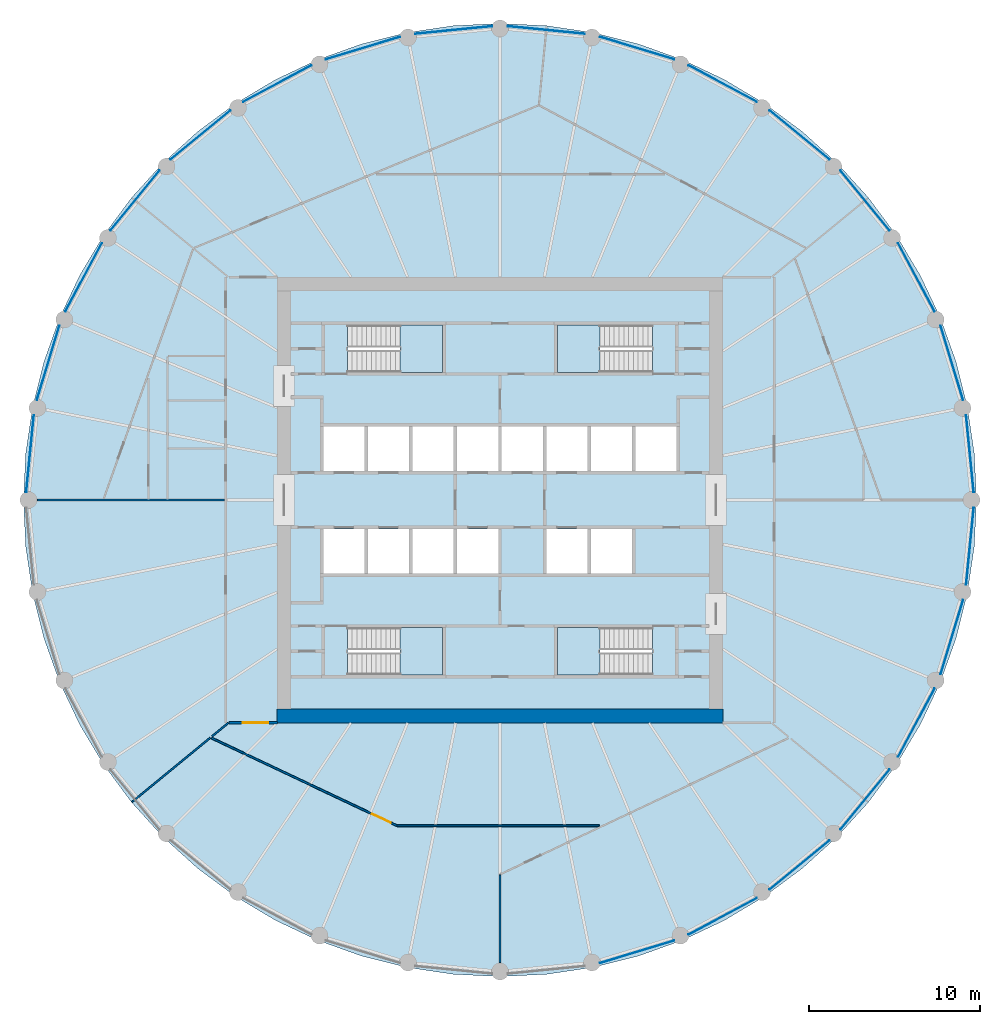
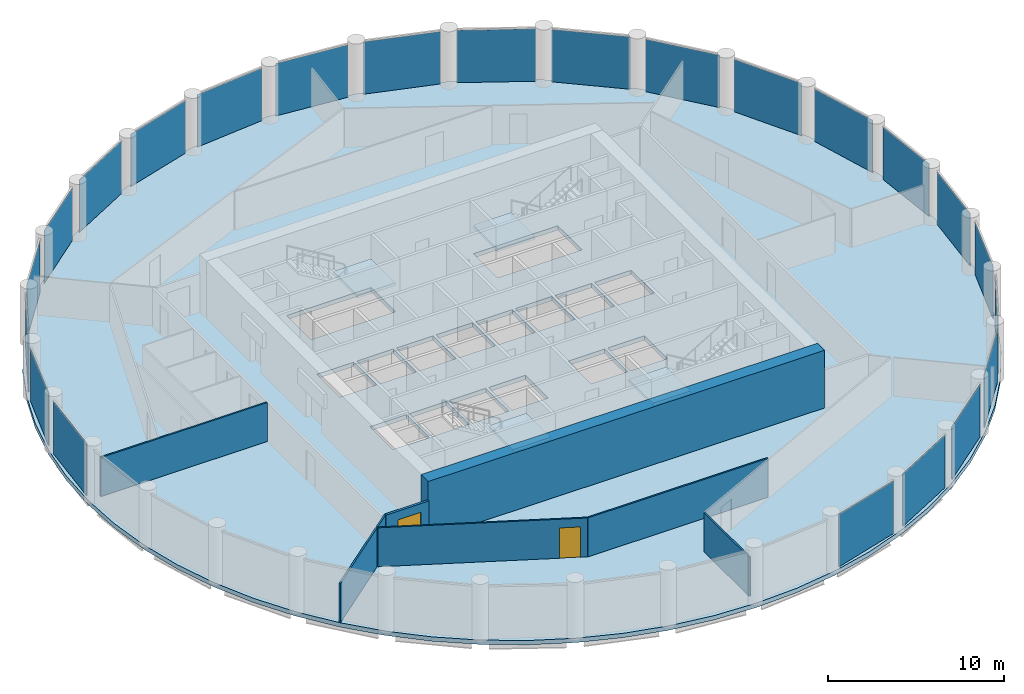
# One storey, part 3 of 8: 23 plates, 8 walls, 5 slabs, 2 doors, 2 openings, 27 elements without a shape of their own.
"""IFC4 building model written with IfcOpenShell, lengths in metres."""

from ifc_helpers import new_model, si_unit, direction, frame, frame_2d, origin, origin_2d, place, context, subcontext, project, spatial, polyline, rectangle, outline, extrude, material, layer, layer_set, type_object, element, fill, aggregate, save


model = new_model("IFC4")

# Units and contexts
model_context = context("Model", 3, precision=1e-05, world=origin(), true_north=direction((0.0, 1.0)))
body_context = subcontext(model_context, "Body", "Model", "MODEL_VIEW")
ifc_project = project(units=[si_unit("LENGTHUNIT", "METRE"), si_unit("AREAUNIT", "SQUARE_METRE"), si_unit("VOLUMEUNIT", "CUBIC_METRE"), si_unit("PLANEANGLEUNIT", "RADIAN"), si_unit("MASSUNIT", "GRAM", prefix="KILO")], contexts=[model_context])

# Site, building, storey
site_placement = place(None, origin())
site = spatial("IfcSite", under=ifc_project, at=site_placement, CompositionType="ELEMENT")
building_placement = place(site_placement, origin())
building = spatial("IfcBuilding", under=site, at=building_placement, Name="Corvane Civic Tower", CompositionType="ELEMENT")
storey_placement = place(building_placement, frame((0.0, 0.0, 241.5)))
storey = spatial("IfcBuildingStorey", under=building, at=storey_placement, Name="L57", CompositionType="ELEMENT", Elevation=241.5)

# Slab
ifc_material_1 = material(Name="Concrete C40/50", Category="concrete")
ifc_layer_1 = layer(ifc_material_1, 0.300048828125)
ifc_layer_set_1 = layer_set([ifc_layer_1], Name="Concrete C40/50")
slab_type_1 = type_object("IfcSlabType", Name="FLOOR SLAB 300", PredefinedType="FLOOR", material=ifc_layer_set_1)
slab_1_placement = place(storey_placement, frame((0.0, 0.0, -0.300048828125)))
element("IfcSlab", 1, at=slab_1_placement, inside=storey, type_object=slab_type_1, Name="SLB-L57", PredefinedType="FLOOR", context=body_context, shape_type="SweptSolid", body=[
    extrude(outline(polyline([(0.0, 27.800048828125), (-2.724853515625, 27.666015625), (-5.423583984375, 27.265869140625), (-8.06982421875, 26.60302734375), (-10.638671875, 25.683837890625), (-13.104736328125, 24.517333984375), (-15.44482421875, 23.11474609375), (-17.63623046875, 21.48974609375), (-19.657470703125, 19.657470703125), (-21.48974609375, 17.63623046875), (-23.11474609375, 15.44482421875), (-24.517333984375, 13.104736328125), (-25.683837890625, 10.638671875), (-26.60302734375, 8.06982421875), (-27.265869140625, 5.423583984375), (-27.666015625, 2.724853515625), (-27.800048828125, 0.0), (-27.666015625, -2.724853515625), (-27.265869140625, -5.423583984375), (-26.60302734375, -8.06982421875), (-25.683837890625, -10.638671875), (-24.517333984375, -13.104736328125), (-23.11474609375, -15.44482421875), (-21.48974609375, -17.63623046875), (-19.657470703125, -19.657470703125), (-17.63623046875, -21.48974609375), (-15.44482421875, -23.11474609375), (-13.104736328125, -24.517333984375), (-10.638671875, -25.683837890625), (-8.06982421875, -26.60302734375), (-5.423583984375, -27.265869140625), (-2.724853515625, -27.666015625), (0.0, -27.800048828125), (2.724853515625, -27.666015625), (5.423583984375, -27.265869140625), (8.06982421875, -26.60302734375), (10.638671875, -25.683837890625), (13.104736328125, -24.517333984375), (15.44482421875, -23.11474609375), (17.63623046875, -21.48974609375), (19.657470703125, -19.657470703125), (21.48974609375, -17.63623046875), (23.11474609375, -15.44482421875), (24.517333984375, -13.104736328125), (25.683837890625, -10.638671875), (26.60302734375, -8.06982421875), (27.265869140625, -5.423583984375), (27.666015625, -2.724853515625), (27.800048828125, 0.0), (27.666015625, 2.724853515625), (27.265869140625, 5.423583984375), (26.60302734375, 8.06982421875), (25.683837890625, 10.638671875), (24.517333984375, 13.104736328125), (23.11474609375, 15.44482421875), (21.48974609375, 17.63623046875), (19.657470703125, 19.657470703125), (17.63623046875, 21.48974609375), (15.44482421875, 23.11474609375), (13.104736328125, 24.517333984375), (10.638671875, 25.683837890625), (8.06982421875, 26.60302734375), (5.423583984375, 27.265869140625), (2.724853515625, 27.666015625), (0.0, 27.800048828125)]), holes=[polyline([(-10.300048828125, 4.300048828125), (-7.89990234375, 4.300048828125), (-7.89990234375, 1.699951171875), (-10.300048828125, 1.699951171875), (-10.300048828125, 4.300048828125)]), polyline([(-5.300048828125, 1.699951171875), (-7.699951171875, 1.699951171875), (-7.699951171875, 4.300048828125), (-5.300048828125, 4.300048828125), (-5.300048828125, 1.699951171875)]), polyline([(-5.10009765625, 4.300048828125), (-2.699951171875, 4.300048828125), (-2.699951171875, 1.699951171875), (-5.10009765625, 1.699951171875), (-5.10009765625, 4.300048828125)]), polyline([(-2.5, 4.300048828125), (-0.10009765625, 4.300048828125), (-0.10009765625, 1.699951171875), (-2.5, 1.699951171875), (-2.5, 4.300048828125)]), polyline([(0.10009765625, 4.300048828125), (2.5, 4.300048828125), (2.5, 1.699951171875), (0.10009765625, 1.699951171875), (0.10009765625, 4.300048828125)]), polyline([(2.699951171875, 4.300048828125), (5.10009765625, 4.300048828125), (5.10009765625, 1.699951171875), (2.699951171875, 1.699951171875), (2.699951171875, 4.300048828125)]), polyline([(5.300048828125, 4.300048828125), (7.699951171875, 4.300048828125), (7.699951171875, 1.699951171875), (5.300048828125, 1.699951171875), (5.300048828125, 4.300048828125)]), polyline([(7.89990234375, 4.300048828125), (10.300048828125, 4.300048828125), (10.300048828125, 1.699951171875), (7.89990234375, 1.699951171875), (7.89990234375, 4.300048828125)]), polyline([(-10.300048828125, -4.300048828125), (-10.300048828125, -1.699951171875), (-7.89990234375, -1.699951171875), (-7.89990234375, -4.300048828125), (-10.300048828125, -4.300048828125)]), polyline([(-5.300048828125, -1.699951171875), (-5.300048828125, -4.300048828125), (-7.699951171875, -4.300048828125), (-7.699951171875, -1.699951171875), (-5.300048828125, -1.699951171875)]), polyline([(-5.10009765625, -4.300048828125), (-5.10009765625, -1.699951171875), (-2.699951171875, -1.699951171875), (-2.699951171875, -4.300048828125), (-5.10009765625, -4.300048828125)]), polyline([(-0.10009765625, -1.699951171875), (-0.10009765625, -4.300048828125), (-2.5, -4.300048828125), (-2.5, -1.699951171875), (-0.10009765625, -1.699951171875)]), polyline([(5.10009765625, -1.699951171875), (5.10009765625, -4.300048828125), (2.699951171875, -4.300048828125), (2.699951171875, -1.699951171875), (5.10009765625, -1.699951171875)]), polyline([(7.699951171875, -1.699951171875), (7.699951171875, -4.300048828125), (5.300048828125, -4.300048828125), (5.300048828125, -1.699951171875), (7.699951171875, -1.699951171875)]), polyline([(8.889892578125, 10.199951171875), (8.889892578125, 7.449951171875), (3.35009765625, 7.449951171875), (3.35009765625, 10.199951171875), (8.889892578125, 10.199951171875)]), polyline([(-8.889892578125, 7.449951171875), (-8.889892578125, 10.199951171875), (-3.35009765625, 10.199951171875), (-3.35009765625, 7.449951171875), (-8.889892578125, 7.449951171875)]), polyline([(8.889892578125, -7.449951171875), (8.889892578125, -10.199951171875), (3.35009765625, -10.199951171875), (3.35009765625, -7.449951171875), (8.889892578125, -7.449951171875)]), polyline([(-8.889892578125, -10.199951171875), (-8.889892578125, -7.449951171875), (-3.35009765625, -7.449951171875), (-3.35009765625, -10.199951171875), (-8.889892578125, -10.199951171875)])]), origin(), (0.0, 0.0, 1.0), 0.300048828125),
])

# Stair, slab
ifc_material_2 = material(Name="Concrete C40/50", Category="concrete")
stair_type = type_object("IfcStairType", Name="ST-STAIR-HALFTURN", PredefinedType="HALF_TURN_STAIR", material=ifc_material_2)
stair_1_placement = place(storey_placement, origin())
stair_1 = element("IfcStair", 2, at=stair_1_placement, inside=storey, type_object=stair_type, Name="L57 Exit stair ST1", PredefinedType="HALF_TURN_STAIR")
ifc_material_3 = material(Name="Concrete C40/50", Category="concrete")
ifc_layer_2 = layer(ifc_material_3, 0.199951171875)
ifc_layer_set_2 = layer_set([ifc_layer_2], Name="Concrete C40/50")
slab_type_2 = type_object("IfcSlabType", Name="ST-LANDING-RC", PredefinedType="LANDING", material=ifc_layer_set_2)
slab_2_placement = place(storey_placement, frame((0.0, 0.0, 1.800048828125)))
slab_2 = element("IfcSlab", 3, at=slab_2_placement, type_object=slab_type_2, Name="ST1 landing 1", PredefinedType="LANDING", context=body_context, shape_type="SweptSolid", body=[
    extrude(outline(polyline([(5.820068359375, 10.199951171875), (3.35009765625, 10.199951171875), (3.35009765625, 7.449951171875), (5.820068359375, 7.449951171875), (5.820068359375, 10.199951171875)])), origin(), (0.0, 0.0, 1.0), 0.199951171875),
])
aggregate(stair_1, [slab_2])

stair_2_placement = place(storey_placement, origin())
stair_2 = element("IfcStair", 4, at=stair_2_placement, inside=storey, type_object=stair_type, Name="L57 Exit stair ST2", PredefinedType="HALF_TURN_STAIR")
slab_3_placement = place(storey_placement, frame((0.0, 0.0, 1.800048828125)))
slab_3 = element("IfcSlab", 5, at=slab_3_placement, type_object=slab_type_2, Name="ST2 landing 1", PredefinedType="LANDING", context=body_context, shape_type="SweptSolid", body=[
    extrude(outline(polyline([(5.820068359375, -7.449951171875), (3.35009765625, -7.449951171875), (3.35009765625, -10.199951171875), (5.820068359375, -10.199951171875), (5.820068359375, -7.449951171875)])), origin(), (0.0, 0.0, 1.0), 0.199951171875),
])
aggregate(stair_2, [slab_3])

stair_3_placement = place(storey_placement, origin())
stair_3 = element("IfcStair", 6, at=stair_3_placement, inside=storey, type_object=stair_type, Name="L57 Exit stair ST3", PredefinedType="HALF_TURN_STAIR")
slab_4_placement = place(storey_placement, frame((0.0, 0.0, 1.800048828125)))
slab_4 = element("IfcSlab", 7, at=slab_4_placement, type_object=slab_type_2, Name="ST3 landing 1", PredefinedType="LANDING", context=body_context, shape_type="SweptSolid", body=[
    extrude(outline(polyline([(-5.820068359375, -10.199951171875), (-3.35009765625, -10.199951171875), (-3.35009765625, -7.449951171875), (-5.820068359375, -7.449951171875), (-5.820068359375, -10.199951171875)])), origin(), (0.0, 0.0, 1.0), 0.199951171875),
])
aggregate(stair_3, [slab_4])

stair_4_placement = place(storey_placement, origin())
stair_4 = element("IfcStair", 8, at=stair_4_placement, inside=storey, type_object=stair_type, Name="L57 Exit stair ST4", PredefinedType="HALF_TURN_STAIR")
slab_5_placement = place(storey_placement, frame((0.0, 0.0, 1.800048828125)))
slab_5 = element("IfcSlab", 9, at=slab_5_placement, type_object=slab_type_2, Name="ST4 landing 1", PredefinedType="LANDING", context=body_context, shape_type="SweptSolid", body=[
    extrude(outline(polyline([(-5.820068359375, 7.449951171875), (-3.35009765625, 7.449951171875), (-3.35009765625, 10.199951171875), (-5.820068359375, 10.199951171875), (-5.820068359375, 7.449951171875)])), origin(), (0.0, 0.0, 1.0), 0.199951171875),
])
aggregate(stair_4, [slab_5])

# Curtain wall, plate
ifc_material_4 = material(Name="Anodised aluminium bronze", Category="aluminium")
curtain_wall_type = type_object("IfcCurtainWallType", Name="TOWER CW-T2 STICK CURTAIN WALL", PredefinedType="NOTDEFINED", material=ifc_material_4)
curtain_wall_1_placement = place(storey_placement, origin())
curtain_wall_1 = element("IfcCurtainWall", 10, at=curtain_wall_1_placement, inside=storey, type_object=curtain_wall_type, Name="Curtain wall CW-T2 L57 bay 01", PredefinedType="NOTDEFINED")
ifc_material_5 = material(Name="Tinted glass", Category="glass")
ifc_layer_3 = layer(ifc_material_5, 0.031982421875)
ifc_layer_set_3 = layer_set([ifc_layer_3], Name="Tinted glass")
plate_type = type_object("IfcPlateType", Name="TOWER CW-T2 PANEL IGU32", PredefinedType="CURTAIN_PANEL", material=ifc_layer_set_3)
plate_1_placement = place(storey_placement, frame((2.699951171875, 27.4140625, 0.0), z_axis=(0.0, 0.0, 1.0), x_axis=(0.995187058378, -0.097993463235, 0.0)))
plate_1 = element("IfcPlate", 11, at=plate_1_placement, type_object=plate_type, Name="Glass panel CW-T2 L57 01.1", PredefinedType="CURTAIN_PANEL", context=body_context, shape_type="SweptSolid", body=[
    extrude(rectangle(XDim=4.517333984375, YDim=0.031982421875, at=origin_2d()), origin(), (0.0, 0.0, 1.0), 3.6298828125),
])
aggregate(curtain_wall_1, [plate_1])

curtain_wall_2_placement = place(storey_placement, origin())
curtain_wall_2 = element("IfcCurtainWall", 12, at=curtain_wall_2_placement, inside=storey, type_object=curtain_wall_type, Name="Curtain wall CW-T2 L57 bay 02", PredefinedType="NOTDEFINED")
plate_2_placement = place(storey_placement, frame((7.996337890625, 26.360595703125, 0.0), z_axis=(0.0, 0.0, 1.0), x_axis=(0.956938843612, -0.290289596069, 0.0)))
plate_2 = element("IfcPlate", 13, at=plate_2_placement, type_object=plate_type, Name="Glass panel CW-T2 L57 02.1", PredefinedType="CURTAIN_PANEL", context=body_context, shape_type="SweptSolid", body=[
    extrude(rectangle(XDim=4.517333984375, YDim=0.031982421875, at=origin_2d()), origin(), (0.0, 0.0, 1.0), 3.6298828125),
])
aggregate(curtain_wall_2, [plate_2])

curtain_wall_3_placement = place(storey_placement, origin())
curtain_wall_3 = element("IfcCurtainWall", 14, at=curtain_wall_3_placement, inside=storey, type_object=curtain_wall_type, Name="Curtain wall CW-T2 L57 bay 03", PredefinedType="NOTDEFINED")
plate_3_placement = place(storey_placement, frame((12.9853515625, 24.294189453125, 0.0), z_axis=(0.0, 0.0, 1.0), x_axis=(0.881920381001, -0.471398389449, 0.0)))
plate_3 = element("IfcPlate", 15, at=plate_3_placement, type_object=plate_type, Name="Glass panel CW-T2 L57 03.1", PredefinedType="CURTAIN_PANEL", context=body_context, shape_type="SweptSolid", body=[
    extrude(rectangle(XDim=4.517333984375, YDim=0.031982421875, at=origin_2d()), origin(), (0.0, 0.0, 1.0), 3.6298828125),
])
aggregate(curtain_wall_3, [plate_3])

curtain_wall_4_placement = place(storey_placement, origin())
curtain_wall_4 = element("IfcCurtainWall", 16, at=curtain_wall_4_placement, inside=storey, type_object=curtain_wall_type, Name="Curtain wall CW-T2 L57 bay 04", PredefinedType="NOTDEFINED")
plate_4_placement = place(storey_placement, frame((17.475341796875, 21.2939453125, 0.0), z_axis=(0.0, 0.0, 1.0), x_axis=(0.773012269331, -0.634391071394, 0.0)))
plate_4 = element("IfcPlate", 17, at=plate_4_placement, type_object=plate_type, Name="Glass panel CW-T2 L57 04.1", PredefinedType="CURTAIN_PANEL", context=body_context, shape_type="SweptSolid", body=[
    extrude(rectangle(XDim=4.517333984375, YDim=0.031982421875, at=origin_2d()), origin(), (0.0, 0.0, 1.0), 3.6298828125),
])
aggregate(curtain_wall_4, [plate_4])

curtain_wall_5_placement = place(storey_placement, origin())
curtain_wall_5 = element("IfcCurtainWall", 18, at=curtain_wall_5_placement, inside=storey, type_object=curtain_wall_type, Name="Curtain wall CW-T2 L57 bay 05", PredefinedType="NOTDEFINED")
plate_5_placement = place(storey_placement, frame((21.2939453125, 17.475341796875, 0.0), z_axis=(0.0, 0.0, 1.0), x_axis=(0.634391071394, -0.773012269331, 0.0)))
plate_5 = element("IfcPlate", 19, at=plate_5_placement, type_object=plate_type, Name="Glass panel CW-T2 L57 05.1", PredefinedType="CURTAIN_PANEL", context=body_context, shape_type="SweptSolid", body=[
    extrude(rectangle(XDim=4.517333984375, YDim=0.031982421875, at=origin_2d()), origin(), (0.0, 0.0, 1.0), 3.6298828125),
])
aggregate(curtain_wall_5, [plate_5])

curtain_wall_6_placement = place(storey_placement, origin())
curtain_wall_6 = element("IfcCurtainWall", 20, at=curtain_wall_6_placement, inside=storey, type_object=curtain_wall_type, Name="Curtain wall CW-T2 L57 bay 06", PredefinedType="NOTDEFINED")
plate_6_placement = place(storey_placement, frame((24.294189453125, 12.9853515625, 0.0), z_axis=(0.0, 0.0, 1.0), x_axis=(0.471398389449, -0.881920381001, 0.0)))
plate_6 = element("IfcPlate", 21, at=plate_6_placement, type_object=plate_type, Name="Glass panel CW-T2 L57 06.1", PredefinedType="CURTAIN_PANEL", context=body_context, shape_type="SweptSolid", body=[
    extrude(rectangle(XDim=4.517333984375, YDim=0.031982421875, at=origin_2d()), origin(), (0.0, 0.0, 1.0), 3.6298828125),
])
aggregate(curtain_wall_6, [plate_6])

curtain_wall_7_placement = place(storey_placement, origin())
curtain_wall_7 = element("IfcCurtainWall", 22, at=curtain_wall_7_placement, inside=storey, type_object=curtain_wall_type, Name="Curtain wall CW-T2 L57 bay 07", PredefinedType="NOTDEFINED")
plate_7_placement = place(storey_placement, frame((26.360595703125, 7.996337890625, 0.0), z_axis=(0.0, 0.0, 1.0), x_axis=(0.290289596069, -0.956938843612, 0.0)))
plate_7 = element("IfcPlate", 23, at=plate_7_placement, type_object=plate_type, Name="Glass panel CW-T2 L57 07.1", PredefinedType="CURTAIN_PANEL", context=body_context, shape_type="SweptSolid", body=[
    extrude(rectangle(XDim=4.517333984375, YDim=0.031982421875, at=origin_2d()), origin(), (0.0, 0.0, 1.0), 3.6298828125),
])
aggregate(curtain_wall_7, [plate_7])

curtain_wall_8_placement = place(storey_placement, origin())
curtain_wall_8 = element("IfcCurtainWall", 24, at=curtain_wall_8_placement, inside=storey, type_object=curtain_wall_type, Name="Curtain wall CW-T2 L57 bay 08", PredefinedType="NOTDEFINED")
plate_8_placement = place(storey_placement, frame((27.4140625, 2.699951171875, 0.0), z_axis=(0.0, 0.0, 1.0), x_axis=(0.097993463235, -0.995187058378, 0.0)))
plate_8 = element("IfcPlate", 25, at=plate_8_placement, type_object=plate_type, Name="Glass panel CW-T2 L57 08.1", PredefinedType="CURTAIN_PANEL", context=body_context, shape_type="SweptSolid", body=[
    extrude(rectangle(XDim=4.517333984375, YDim=0.031982421875, at=origin_2d()), origin(), (0.0, 0.0, 1.0), 3.6298828125),
])
aggregate(curtain_wall_8, [plate_8])

curtain_wall_9_placement = place(storey_placement, origin())
curtain_wall_9 = element("IfcCurtainWall", 26, at=curtain_wall_9_placement, inside=storey, type_object=curtain_wall_type, Name="Curtain wall CW-T2 L57 bay 09", PredefinedType="NOTDEFINED")
plate_9_placement = place(storey_placement, frame((27.4140625, -2.699951171875, 0.0), z_axis=(0.0, 0.0, 1.0), x_axis=(-0.097993463235, -0.995187058378, 0.0)))
plate_9 = element("IfcPlate", 27, at=plate_9_placement, type_object=plate_type, Name="Glass panel CW-T2 L57 09.1", PredefinedType="CURTAIN_PANEL", context=body_context, shape_type="SweptSolid", body=[
    extrude(rectangle(XDim=4.517333984375, YDim=0.031982421875, at=origin_2d()), origin(), (0.0, 0.0, 1.0), 3.6298828125),
])
aggregate(curtain_wall_9, [plate_9])

curtain_wall_10_placement = place(storey_placement, origin())
curtain_wall_10 = element("IfcCurtainWall", 28, at=curtain_wall_10_placement, inside=storey, type_object=curtain_wall_type, Name="Curtain wall CW-T2 L57 bay 10", PredefinedType="NOTDEFINED")
plate_10_placement = place(storey_placement, frame((26.360595703125, -7.996337890625, 0.0), z_axis=(0.0, 0.0, 1.0), x_axis=(-0.290289596069, -0.956938843612, 0.0)))
plate_10 = element("IfcPlate", 29, at=plate_10_placement, type_object=plate_type, Name="Glass panel CW-T2 L57 10.1", PredefinedType="CURTAIN_PANEL", context=body_context, shape_type="SweptSolid", body=[
    extrude(rectangle(XDim=4.517333984375, YDim=0.031982421875, at=origin_2d()), origin(), (0.0, 0.0, 1.0), 3.6298828125),
])
aggregate(curtain_wall_10, [plate_10])

curtain_wall_11_placement = place(storey_placement, origin())
curtain_wall_11 = element("IfcCurtainWall", 30, at=curtain_wall_11_placement, inside=storey, type_object=curtain_wall_type, Name="Curtain wall CW-T2 L57 bay 11", PredefinedType="NOTDEFINED")
plate_11_placement = place(storey_placement, frame((24.294189453125, -12.9853515625, 0.0), z_axis=(0.0, 0.0, 1.0), x_axis=(-0.471398389449, -0.881920381001, 0.0)))
plate_11 = element("IfcPlate", 31, at=plate_11_placement, type_object=plate_type, Name="Glass panel CW-T2 L57 11.1", PredefinedType="CURTAIN_PANEL", context=body_context, shape_type="SweptSolid", body=[
    extrude(rectangle(XDim=4.517333984375, YDim=0.031982421875, at=origin_2d()), origin(), (0.0, 0.0, 1.0), 3.6298828125),
])
aggregate(curtain_wall_11, [plate_11])

curtain_wall_12_placement = place(storey_placement, origin())
curtain_wall_12 = element("IfcCurtainWall", 32, at=curtain_wall_12_placement, inside=storey, type_object=curtain_wall_type, Name="Curtain wall CW-T2 L57 bay 12", PredefinedType="NOTDEFINED")
plate_12_placement = place(storey_placement, frame((21.2939453125, -17.475341796875, 0.0), z_axis=(0.0, 0.0, 1.0), x_axis=(-0.634391071394, -0.773012269331, 0.0)))
plate_12 = element("IfcPlate", 33, at=plate_12_placement, type_object=plate_type, Name="Glass panel CW-T2 L57 12.1", PredefinedType="CURTAIN_PANEL", context=body_context, shape_type="SweptSolid", body=[
    extrude(rectangle(XDim=4.517333984375, YDim=0.031982421875, at=origin_2d()), origin(), (0.0, 0.0, 1.0), 3.6298828125),
])
aggregate(curtain_wall_12, [plate_12])

curtain_wall_13_placement = place(storey_placement, origin())
curtain_wall_13 = element("IfcCurtainWall", 34, at=curtain_wall_13_placement, inside=storey, type_object=curtain_wall_type, Name="Curtain wall CW-T2 L57 bay 13", PredefinedType="NOTDEFINED")
plate_13_placement = place(storey_placement, frame((17.475341796875, -21.2939453125, 0.0), z_axis=(0.0, 0.0, 1.0), x_axis=(-0.773012269331, -0.634391071394, 0.0)))
plate_13 = element("IfcPlate", 35, at=plate_13_placement, type_object=plate_type, Name="Glass panel CW-T2 L57 13.1", PredefinedType="CURTAIN_PANEL", context=body_context, shape_type="SweptSolid", body=[
    extrude(rectangle(XDim=4.517333984375, YDim=0.031982421875, at=origin_2d()), origin(), (0.0, 0.0, 1.0), 3.6298828125),
])
aggregate(curtain_wall_13, [plate_13])

curtain_wall_14_placement = place(storey_placement, origin())
curtain_wall_14 = element("IfcCurtainWall", 36, at=curtain_wall_14_placement, inside=storey, type_object=curtain_wall_type, Name="Curtain wall CW-T2 L57 bay 14", PredefinedType="NOTDEFINED")
plate_14_placement = place(storey_placement, frame((12.9853515625, -24.294189453125, 0.0), z_axis=(0.0, 0.0, 1.0), x_axis=(-0.881920381001, -0.471398389449, 0.0)))
plate_14 = element("IfcPlate", 37, at=plate_14_placement, type_object=plate_type, Name="Glass panel CW-T2 L57 14.1", PredefinedType="CURTAIN_PANEL", context=body_context, shape_type="SweptSolid", body=[
    extrude(rectangle(XDim=4.517333984375, YDim=0.031982421875, at=origin_2d()), origin(), (0.0, 0.0, 1.0), 3.6298828125),
])
aggregate(curtain_wall_14, [plate_14])

curtain_wall_15_placement = place(storey_placement, origin())
curtain_wall_15 = element("IfcCurtainWall", 38, at=curtain_wall_15_placement, inside=storey, type_object=curtain_wall_type, Name="Curtain wall CW-T2 L57 bay 15", PredefinedType="NOTDEFINED")
plate_15_placement = place(storey_placement, frame((7.996337890625, -26.360595703125, 0.0), z_axis=(0.0, 0.0, 1.0), x_axis=(-0.956938843612, -0.290289596069, 0.0)))
plate_15 = element("IfcPlate", 39, at=plate_15_placement, type_object=plate_type, Name="Glass panel CW-T2 L57 15.1", PredefinedType="CURTAIN_PANEL", context=body_context, shape_type="SweptSolid", body=[
    extrude(rectangle(XDim=4.517333984375, YDim=0.031982421875, at=origin_2d()), origin(), (0.0, 0.0, 1.0), 3.6298828125),
])
aggregate(curtain_wall_15, [plate_15])

curtain_wall_16_placement = place(storey_placement, origin())
curtain_wall_16 = element("IfcCurtainWall", 40, at=curtain_wall_16_placement, inside=storey, type_object=curtain_wall_type, Name="Curtain wall CW-T2 L57 bay 25", PredefinedType="NOTDEFINED")
plate_16_placement = place(storey_placement, frame((-27.4140625, 2.699951171875, 0.0), z_axis=(0.0, 0.0, 1.0), x_axis=(0.097993463235, 0.995187058378, 0.0)))
plate_16 = element("IfcPlate", 41, at=plate_16_placement, type_object=plate_type, Name="Glass panel CW-T2 L57 25.1", PredefinedType="CURTAIN_PANEL", context=body_context, shape_type="SweptSolid", body=[
    extrude(rectangle(XDim=4.517333984375, YDim=0.031982421875, at=origin_2d()), origin(), (0.0, 0.0, 1.0), 3.6298828125),
])
aggregate(curtain_wall_16, [plate_16])

curtain_wall_17_placement = place(storey_placement, origin())
curtain_wall_17 = element("IfcCurtainWall", 42, at=curtain_wall_17_placement, inside=storey, type_object=curtain_wall_type, Name="Curtain wall CW-T2 L57 bay 26", PredefinedType="NOTDEFINED")
plate_17_placement = place(storey_placement, frame((-26.360595703125, 7.996337890625, 0.0), z_axis=(0.0, 0.0, 1.0), x_axis=(0.290289596069, 0.956938843612, 0.0)))
plate_17 = element("IfcPlate", 43, at=plate_17_placement, type_object=plate_type, Name="Glass panel CW-T2 L57 26.1", PredefinedType="CURTAIN_PANEL", context=body_context, shape_type="SweptSolid", body=[
    extrude(rectangle(XDim=4.517333984375, YDim=0.031982421875, at=origin_2d()), origin(), (0.0, 0.0, 1.0), 3.6298828125),
])
aggregate(curtain_wall_17, [plate_17])

curtain_wall_18_placement = place(storey_placement, origin())
curtain_wall_18 = element("IfcCurtainWall", 44, at=curtain_wall_18_placement, inside=storey, type_object=curtain_wall_type, Name="Curtain wall CW-T2 L57 bay 27", PredefinedType="NOTDEFINED")
plate_18_placement = place(storey_placement, frame((-24.294189453125, 12.9853515625, 0.0), z_axis=(0.0, 0.0, 1.0), x_axis=(0.471398389449, 0.881920381001, 0.0)))
plate_18 = element("IfcPlate", 45, at=plate_18_placement, type_object=plate_type, Name="Glass panel CW-T2 L57 27.1", PredefinedType="CURTAIN_PANEL", context=body_context, shape_type="SweptSolid", body=[
    extrude(rectangle(XDim=4.517333984375, YDim=0.031982421875, at=origin_2d()), origin(), (0.0, 0.0, 1.0), 3.6298828125),
])
aggregate(curtain_wall_18, [plate_18])

curtain_wall_19_placement = place(storey_placement, origin())
curtain_wall_19 = element("IfcCurtainWall", 46, at=curtain_wall_19_placement, inside=storey, type_object=curtain_wall_type, Name="Curtain wall CW-T2 L57 bay 28", PredefinedType="NOTDEFINED")
plate_19_placement = place(storey_placement, frame((-21.2939453125, 17.475341796875, 0.0), z_axis=(0.0, 0.0, 1.0), x_axis=(0.634391071394, 0.773012269331, 0.0)))
plate_19 = element("IfcPlate", 47, at=plate_19_placement, type_object=plate_type, Name="Glass panel CW-T2 L57 28.1", PredefinedType="CURTAIN_PANEL", context=body_context, shape_type="SweptSolid", body=[
    extrude(rectangle(XDim=4.517333984375, YDim=0.031982421875, at=origin_2d()), origin(), (0.0, 0.0, 1.0), 3.6298828125),
])
aggregate(curtain_wall_19, [plate_19])

curtain_wall_20_placement = place(storey_placement, origin())
curtain_wall_20 = element("IfcCurtainWall", 48, at=curtain_wall_20_placement, inside=storey, type_object=curtain_wall_type, Name="Curtain wall CW-T2 L57 bay 29", PredefinedType="NOTDEFINED")
plate_20_placement = place(storey_placement, frame((-17.475341796875, 21.2939453125, 0.0), z_axis=(0.0, 0.0, 1.0), x_axis=(0.773012269331, 0.634391071394, 0.0)))
plate_20 = element("IfcPlate", 49, at=plate_20_placement, type_object=plate_type, Name="Glass panel CW-T2 L57 29.1", PredefinedType="CURTAIN_PANEL", context=body_context, shape_type="SweptSolid", body=[
    extrude(rectangle(XDim=4.517333984375, YDim=0.031982421875, at=origin_2d()), origin(), (0.0, 0.0, 1.0), 3.6298828125),
])
aggregate(curtain_wall_20, [plate_20])

curtain_wall_21_placement = place(storey_placement, origin())
curtain_wall_21 = element("IfcCurtainWall", 50, at=curtain_wall_21_placement, inside=storey, type_object=curtain_wall_type, Name="Curtain wall CW-T2 L57 bay 30", PredefinedType="NOTDEFINED")
plate_21_placement = place(storey_placement, frame((-12.9853515625, 24.294189453125, 0.0), z_axis=(0.0, 0.0, 1.0), x_axis=(0.881920381001, 0.471398389449, 0.0)))
plate_21 = element("IfcPlate", 51, at=plate_21_placement, type_object=plate_type, Name="Glass panel CW-T2 L57 30.1", PredefinedType="CURTAIN_PANEL", context=body_context, shape_type="SweptSolid", body=[
    extrude(rectangle(XDim=4.517333984375, YDim=0.031982421875, at=origin_2d()), origin(), (0.0, 0.0, 1.0), 3.6298828125),
])
aggregate(curtain_wall_21, [plate_21])

curtain_wall_22_placement = place(storey_placement, origin())
curtain_wall_22 = element("IfcCurtainWall", 52, at=curtain_wall_22_placement, inside=storey, type_object=curtain_wall_type, Name="Curtain wall CW-T2 L57 bay 31", PredefinedType="NOTDEFINED")
plate_22_placement = place(storey_placement, frame((-7.996337890625, 26.360595703125, 0.0), z_axis=(0.0, 0.0, 1.0), x_axis=(0.956938843612, 0.290289596069, 0.0)))
plate_22 = element("IfcPlate", 53, at=plate_22_placement, type_object=plate_type, Name="Glass panel CW-T2 L57 31.1", PredefinedType="CURTAIN_PANEL", context=body_context, shape_type="SweptSolid", body=[
    extrude(rectangle(XDim=4.517333984375, YDim=0.031982421875, at=origin_2d()), origin(), (0.0, 0.0, 1.0), 3.6298828125),
])
aggregate(curtain_wall_22, [plate_22])

curtain_wall_23_placement = place(storey_placement, origin())
curtain_wall_23 = element("IfcCurtainWall", 54, at=curtain_wall_23_placement, inside=storey, type_object=curtain_wall_type, Name="Curtain wall CW-T2 L57 bay 32", PredefinedType="NOTDEFINED")
plate_23_placement = place(storey_placement, frame((-2.699951171875, 27.4140625, 0.0), z_axis=(0.0, 0.0, 1.0), x_axis=(0.995187058378, 0.097993463235, 0.0)))
plate_23 = element("IfcPlate", 55, at=plate_23_placement, type_object=plate_type, Name="Glass panel CW-T2 L57 32.1", PredefinedType="CURTAIN_PANEL", context=body_context, shape_type="SweptSolid", body=[
    extrude(rectangle(XDim=4.517333984375, YDim=0.031982421875, at=origin_2d()), origin(), (0.0, 0.0, 1.0), 3.6298828125),
])
aggregate(curtain_wall_23, [plate_23])

# Walls
ifc_material_6 = material(Name="Concrete C50/60", Category="concrete")
ifc_layer_4 = layer(ifc_material_6, 0.800048828125)
ifc_layer_set_4 = layer_set([ifc_layer_4], Name="Concrete C50/60")
wall_type_1 = type_object("IfcWallType", Name="CORE WALL 800 C50/60", PredefinedType="SHEAR", material=ifc_layer_set_4)
wall_1_placement = place(storey_placement, frame((-13.0, -12.60009765625, 0.0), z_axis=(0.0, 0.0, 1.0), x_axis=(1.0, 0.0, 0.0)))
element("IfcWall", 56, at=wall_1_placement, inside=storey, type_object=wall_type_1, Name="W-L57-core-S", PredefinedType="SHEAR", context=body_context, shape_type="SweptSolid", body=[
    extrude(rectangle(XDim=26.0, YDim=0.800048828125, at=frame_2d((13.0, 0.0))), origin(), (0.0, 0.0, 1.0), 4.0),
])
ifc_material_7 = material(Name="Plasterboard")
ifc_layer_5 = layer(ifc_material_7, 0.10009765625)
ifc_layer_set_5 = layer_set([ifc_layer_5], Name="Plasterboard")
wall_type_2 = type_object("IfcWallType", Name="Partition 100 plasterboard on studs", PredefinedType="PARTITIONING", material=ifc_layer_set_5)
wall_2_placement = place(storey_placement, frame((0.0, -26.989990234375, 0.0), z_axis=(0.0, 0.0, 1.0), x_axis=(0.0, 1.0, 0.0)))
element("IfcWall", 57, at=wall_2_placement, inside=storey, type_object=wall_type_2, Name="Partition L57.001", PredefinedType="PARTITIONING", context=body_context, shape_type="SweptSolid", body=[
    extrude(rectangle(XDim=5.115234375, YDim=0.10009765625, at=frame_2d((2.5576171875, 0.0))), origin(), (0.0, 0.0, 1.0), 2.699951171875),
])

# Wall, opening, door
wall_3_placement = place(storey_placement, frame((-16.813720703125, -13.890869140625, 0.0), z_axis=(0.0, 0.0, 1.0), x_axis=(0.903992517298, -0.42754827642, 0.0)))
wall_3 = element("IfcWall", 58, at=wall_3_placement, inside=storey, type_object=wall_type_2, Name="Partition L57.003", PredefinedType="PARTITIONING", context=body_context, shape_type="SweptSolid", body=[
    extrude(rectangle(XDim=11.9384765625, YDim=0.10009765625, at=frame_2d((5.96923828125, 0.0))), origin(), (0.0, 0.0, 1.0), 2.699951171875),
])
opening_1_placement = place(wall_3_placement, frame((10.347412109375, 0.0, 0.0)))
opening_1 = element("IfcOpeningElement", 59, at=opening_1_placement, cuts=wall_3, Name="Opening L57.006", PredefinedType="OPENING", context=body_context, shape_type="SweptSolid", body=[
    extrude(rectangle(XDim=1.199951171875, YDim=2.10009765625, at=frame_2d((0.60009765625, 1.050048828125))), frame((0.0, 0.06005859375, 0.0), z_axis=(0.0, -1.0, 0.0), x_axis=(1.0, 0.0, 0.0)), (0.0, 0.0, 1.0), 0.1201171875),
])
ifc_material_8 = material(Name="Timber", Category="wood")
door_type_1 = type_object("IfcDoorType", Name="Double door 1200", OperationType="NOTDEFINED", PredefinedType="DOOR", material=ifc_material_8)
door_1_placement = place(opening_1_placement, frame((1.199951171875, 0.0, 0.0), z_axis=(0.0, 0.0, 1.0), x_axis=(-1.0, 0.0, 0.0)))
door_1 = element("IfcDoor", 60, at=door_1_placement, inside=storey, type_object=door_type_1, Name="Door L57.006", OperationType="DOUBLE_DOOR_SINGLE_SWING", OverallHeight=2.10009765625, OverallWidth=1.199951171875, PredefinedType="DOOR", context=body_context, shape_type="SweptSolid", body=[
    extrude(rectangle(XDim=1.199951171875, YDim=2.10009765625, at=frame_2d((0.60009765625, 1.050048828125))), frame((0.0, 0.02490234375, 0.0), z_axis=(0.0, -1.0, 0.0), x_axis=(1.0, 0.0, 0.0)), (0.0, 0.0, 1.0), 0.050048828125),
])
fill(opening_1, door_1)

# Walls
wall_4_placement = place(storey_placement, frame((-6.0, -19.0, 0.0), z_axis=(0.0, 0.0, 1.0), x_axis=(1.0, 0.0, 0.0)))
element("IfcWall", 61, at=wall_4_placement, inside=storey, type_object=wall_type_2, Name="Partition L57.004", PredefinedType="PARTITIONING", context=body_context, shape_type="SweptSolid", body=[
    extrude(rectangle(XDim=11.78857421875, YDim=0.10009765625, at=frame_2d((5.894287109375, 0.0))), origin(), (0.0, 0.0, 1.0), 2.699951171875),
])
wall_5_placement = place(storey_placement, frame((-21.451171875, -17.6044921875, 0.0), z_axis=(0.0, 0.0, 1.0), x_axis=(0.773006615465, 0.634397960626, 0.0)))
element("IfcWall", 62, at=wall_5_placement, inside=storey, type_object=wall_type_2, Name="Partition L57.005", PredefinedType="PARTITIONING", context=body_context, shape_type="SweptSolid", body=[
    extrude(rectangle(XDim=5.886474609375, YDim=0.10009765625, at=frame_2d((2.943359375, 0.0))), origin(), (0.0, 0.0, 1.0), 2.699951171875),
])
wall_6_placement = place(storey_placement, frame((-16.796630859375, -13.78466796875, 0.0), z_axis=(0.0, 0.0, 1.0), x_axis=(0.772912170581, 0.634513023167, 0.0)))
element("IfcWall", 63, at=wall_6_placement, inside=storey, type_object=wall_type_2, Name="Partition L57.008", PredefinedType="PARTITIONING", context=body_context, shape_type="SweptSolid", body=[
    extrude(rectangle(XDim=1.218994140625, YDim=0.10009765625, at=frame_2d((0.609375, 0.0))), origin(), (0.0, 0.0, 1.0), 2.699951171875),
])
wall_7_placement = place(storey_placement, frame((-26.989990234375, 0.0, 0.0), z_axis=(0.0, 0.0, 1.0), x_axis=(1.0, 0.0, 0.0)))
element("IfcWall", 64, at=wall_7_placement, inside=storey, type_object=wall_type_2, Name="Partition L57.013", PredefinedType="PARTITIONING", context=body_context, shape_type="SweptSolid", body=[
    extrude(rectangle(XDim=10.9150390625, YDim=0.10009765625, at=frame_2d((5.45751953125, 0.0))), origin(), (0.0, 0.0, 1.0), 2.699951171875),
])

# Wall, opening, door
ifc_material_9 = material(Name="Plasterboard")
ifc_layer_6 = layer(ifc_material_9, 0.14990234375)
ifc_layer_set_6 = layer_set([ifc_layer_6], Name="Plasterboard")
wall_type_3 = type_object("IfcWallType", Name="Tenancy wall 150 EI 60", PredefinedType="PARTITIONING", material=ifc_layer_set_6)
wall_8_placement = place(storey_placement, frame((-15.813720703125, -13.0, 0.0), z_axis=(0.0, 0.0, 1.0), x_axis=(1.0, 0.0, 0.0)))
wall_8 = element("IfcWall", 65, at=wall_8_placement, inside=storey, type_object=wall_type_3, Name="Partition L57.010", PredefinedType="PARTITIONING", context=body_context, shape_type="SweptSolid", body=[
    extrude(rectangle(XDim=2.82373046875, YDim=0.14990234375, at=frame_2d((1.411865234375, 0.0))), origin(), (0.0, 0.0, 1.0), 2.699951171875),
])
opening_2_placement = place(wall_8_placement, frame((0.80126953125, 0.0, 0.0)))
opening_2 = element("IfcOpeningElement", 66, at=opening_2_placement, cuts=wall_8, Name="Opening L57.007", PredefinedType="OPENING", context=body_context, shape_type="SweptSolid", body=[
    extrude(rectangle(XDim=1.5, YDim=2.10009765625, at=frame_2d((0.75, 1.050048828125))), frame((0.0, 0.0849609375, 0.0), z_axis=(0.0, -1.0, 0.0), x_axis=(1.0, 0.0, 0.0)), (0.0, 0.0, 1.0), 0.169921875),
])
ifc_material_10 = material(Name="Steel and timber", Category="steel")
door_type_2 = type_object("IfcDoorType", Name="Fire door FD60 double 1500", OperationType="NOTDEFINED", PredefinedType="DOOR", material=ifc_material_10)
door_2_placement = place(opening_2_placement, frame((1.5, 0.0, 0.0), z_axis=(0.0, 0.0, 1.0), x_axis=(-1.0, 0.0, 0.0)))
door_2 = element("IfcDoor", 67, at=door_2_placement, inside=storey, type_object=door_type_2, Name="Door L57.007", OperationType="DOUBLE_DOOR_SINGLE_SWING", OverallHeight=2.10009765625, OverallWidth=1.5, PredefinedType="DOOR", context=body_context, shape_type="SweptSolid", body=[
    extrude(rectangle(XDim=1.5, YDim=2.10009765625, at=frame_2d((0.75, 1.050048828125))), frame((0.0, 0.02490234375, 0.0), z_axis=(0.0, -1.0, 0.0), x_axis=(1.0, 0.0, 0.0)), (0.0, 0.0, 1.0), 0.050048828125),
])
fill(opening_2, door_2)

save(model, "model.ifc")
